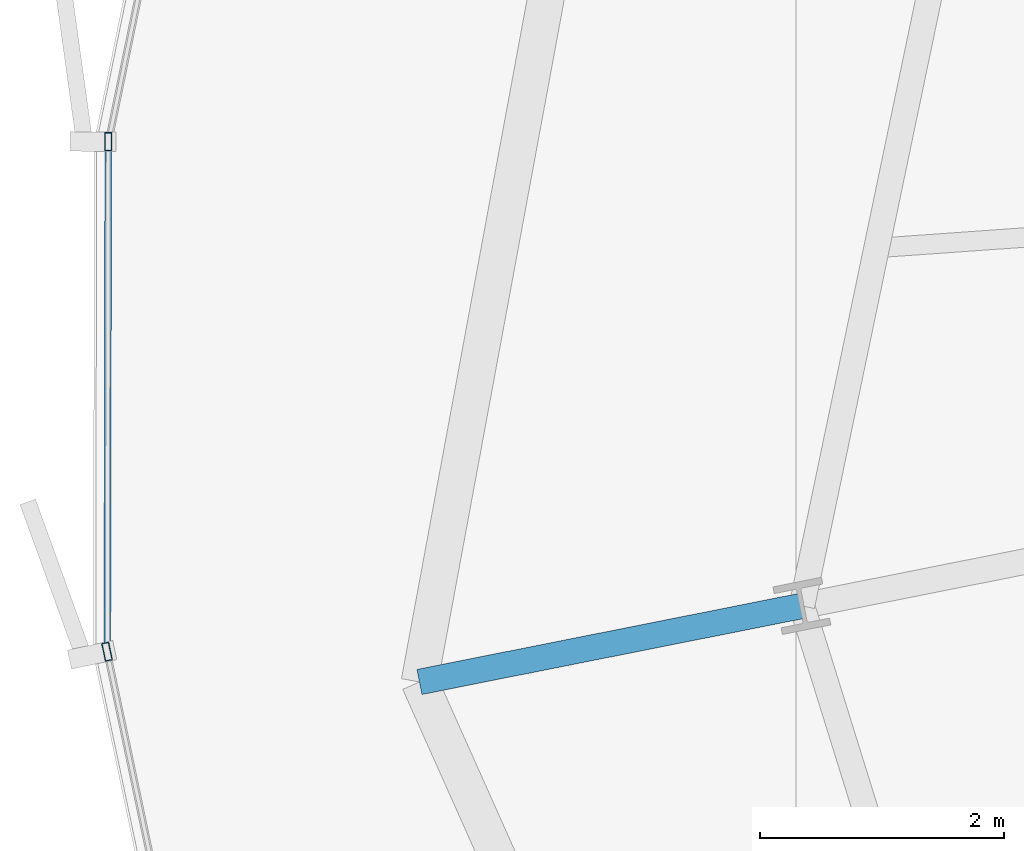
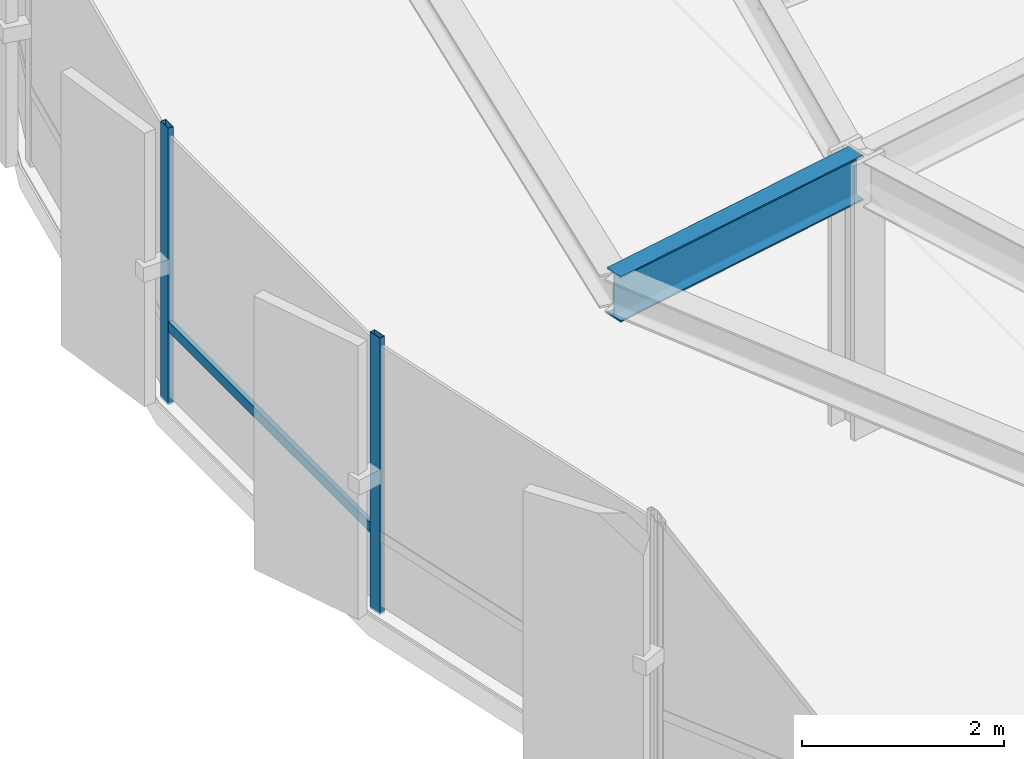
# One storey, part 8 of 35: 3 members, 1 beam, 1 element without a shape of its own.
"""IFC4 building model written with IfcOpenShell, lengths in metres."""

import ifcopenshell
import ifcopenshell.guid

model = None  # the IFC model being written
_history = None  # IfcOwnerHistory: only IFC2X3 demands one
_inside = {}  # id of a spatial element -> (the spatial element, [elements in it])
_under = {}  # id of a project, library or spatial element -> (it, [spatial elements below it])
_declared = {}  # id of a project -> (the project, [libraries it declares])
_typed = {}  # id of a type object -> (the type object, [elements of that type])
_made_of = {}  # id of a material, layer set ... -> (it, [elements and type objects made of it])


def new_model(schema):
    """Start an empty IFC model of exactly this schema.

    Asked for "IFC4X3", IfcOpenShell would pick the latest addendum, in which some entities
    have other attributes; the version numbers below select the first issue.
    IFC2X3 requires an IfcOwnerHistory on every rooted entity: one is made here for all.
    """
    global model, _history
    if schema == "IFC4X3":
        model = ifcopenshell.file(schema_version=(4, 3, 0, 0))
    else:
        model = ifcopenshell.file(schema=schema)
    _inside.clear()
    _under.clear()
    _declared.clear()
    _typed.clear()
    _made_of.clear()
    _history = None
    if model.schema == "IFC2X3":
        org = make("IfcOrganization", Name="unknown")
        user = make(
            "IfcPersonAndOrganization",
            ThePerson=make("IfcPerson", FamilyName="unknown"),
            TheOrganization=org,
        )
        app = make(
            "IfcApplication",
            ApplicationDeveloper=org,
            Version="unknown",
            ApplicationFullName="unknown",
            ApplicationIdentifier="unknown",
        )
        _history = make(
            "IfcOwnerHistory",
            OwningUser=user,
            OwningApplication=app,
            ChangeAction="ADDED",
            CreationDate=0,
        )
    return model


def make(cls, **values):
    """One entity of the class cls with the attributes given. An attribute that is None is left unset."""
    return model.create_entity(
        cls, **{name: value for name, value in values.items() if value is not None}
    )


def rooted(cls, **values):
    """An entity with a GlobalId (a new one), such as an element, a storey or a relation."""
    return make(cls, GlobalId=ifcopenshell.guid.new(), OwnerHistory=_history, **values)


def si_unit(unit_type, name, prefix=None):
    """IfcSIUnit, for example si_unit("LENGTHUNIT", "METRE", prefix="MILLI")."""
    return make("IfcSIUnit", UnitType=unit_type, Prefix=prefix, Name=name)


def assignment(units):
    """IfcUnitAssignment: the units of a project."""
    return None if units is None else make("IfcUnitAssignment", Units=units)


def point(xyz):
    """IfcCartesianPoint."""
    return None if xyz is None else make("IfcCartesianPoint", Coordinates=xyz)


def direction(xyz):
    """IfcDirection."""
    return None if xyz is None else make("IfcDirection", DirectionRatios=xyz)


def frame(location, z_axis=None, x_axis=None):
    """IfcAxis2Placement3D, a coordinate frame: its origin and axes. An axis left out is left unset."""
    return make(
        "IfcAxis2Placement3D",
        Location=point(location),
        Axis=direction(z_axis),
        RefDirection=direction(x_axis),
    )


def frame_2d(location, x_axis=None):
    """IfcAxis2Placement2D, a coordinate frame in the plane: its origin and x axis."""
    return make(
        "IfcAxis2Placement2D", Location=point(location), RefDirection=direction(x_axis)
    )


def origin():
    """The frame at (0, 0, 0) with its axes left unset."""
    return frame((0.0, 0.0, 0.0))


def origin_2d():
    """The frame at (0, 0) in the plane with its x axis left unset."""
    return frame_2d((0.0, 0.0))


def place(relative_to, where):
    """IfcLocalPlacement: puts the frame where relative to a parent placement (None: the world)."""
    return make(
        "IfcLocalPlacement", PlacementRelTo=relative_to, RelativePlacement=where
    )


def context(
    kind, dimensions, precision=None, world=None, true_north=None, identifier=None
):
    """IfcGeometricRepresentationContext, for example the 3D "Model" context."""
    return make(
        "IfcGeometricRepresentationContext",
        ContextIdentifier=identifier,
        ContextType=kind,
        CoordinateSpaceDimension=dimensions,
        Precision=precision,
        WorldCoordinateSystem=world,
        TrueNorth=true_north,
    )


def subcontext(parent, identifier, kind, view, scale=None):
    """IfcGeometricRepresentationSubContext, for example "Body" below "Model"."""
    return make(
        "IfcGeometricRepresentationSubContext",
        ContextIdentifier=identifier,
        ContextType=kind,
        ParentContext=parent,
        TargetScale=scale,
        TargetView=view,
    )


def project(units=None, contexts=None):
    """IfcProject with its units and contexts."""
    return rooted(
        "IfcProject",
        Name="project",
        RepresentationContexts=contexts,
        UnitsInContext=assignment(units),
    )


def spatial(cls, under=None, at=None, **own):
    """A site, building, storey or space (cls), placed at a placement, below another one or the project."""
    s = rooted(cls, ObjectPlacement=at, **own)
    if under is not None:
        _under.setdefault(under.id(), (under, []))[1].append(s)
    return s


def profile(cls, at=None, kind="AREA", **sizes):
    """A parametric profile (cls). Its sizes go by their IFC names, for example OverallWidth=200.0."""
    return make(cls, ProfileType=kind, Position=at, **sizes)


def hollow_rectangle(**sizes):
    """IfcRectangleHollowProfileDef."""
    return profile("IfcRectangleHollowProfileDef", **sizes)


def i_section(**sizes):
    """IfcIShapeProfileDef."""
    return profile("IfcIShapeProfileDef", **sizes)


def extrude(swept, where, along, depth):
    """IfcExtrudedAreaSolid: the profile swept, set in the frame where, extruded along a direction by depth."""
    return make(
        "IfcExtrudedAreaSolid",
        SweptArea=swept,
        Position=where,
        ExtrudedDirection=direction(along),
        Depth=depth,
    )


def shape(context_of_items, identifier, shape_type, items):
    """IfcShapeRepresentation: the items that make up one representation, for example the "Body"."""
    return make(
        "IfcShapeRepresentation",
        ContextOfItems=context_of_items,
        RepresentationIdentifier=identifier,
        RepresentationType=shape_type,
        Items=items,
    )


def source(mapping_origin, context_of_items, identifier, shape_type, items):
    """IfcRepresentationMap: a shape defined once, which mapped items show again and again."""
    return make(
        "IfcRepresentationMap",
        MappingOrigin=mapping_origin,
        MappedRepresentation=shape(context_of_items, identifier, shape_type, items),
    )


def transform(
    local_origin,
    x_axis=None,
    y_axis=None,
    z_axis=None,
    scale=None,
    scale2=None,
    scale3=None,
    uniform=True,
):
    """IfcCartesianTransformationOperator3D, or its non-uniform kind. x_axis, y_axis, z_axis: its Axis1, 2, 3."""
    if uniform:
        return make(
            "IfcCartesianTransformationOperator3D",
            Axis1=direction(x_axis),
            Axis2=direction(y_axis),
            LocalOrigin=point(local_origin),
            Scale=scale,
            Axis3=direction(z_axis),
        )
    return make(
        "IfcCartesianTransformationOperator3DnonUniform",
        Axis1=direction(x_axis),
        Axis2=direction(y_axis),
        LocalOrigin=point(local_origin),
        Scale=scale,
        Axis3=direction(z_axis),
        Scale2=scale2,
        Scale3=scale3,
    )


def mapped(mapping_source, mapping_target):
    """IfcMappedItem: shows the shape of a source again, moved by a transform."""
    return make(
        "IfcMappedItem", MappingSource=mapping_source, MappingTarget=mapping_target
    )


def material(Name=None, Category=None):
    """IfcMaterial."""
    return make("IfcMaterial", Name=Name, Category=Category)


def layer(
    of_material, thickness, ventilated=None, Name=None, Category=None, Priority=None
):
    """IfcMaterialLayer: one layer of a wall or slab, of a material (None: an air gap)."""
    return make(
        "IfcMaterialLayer",
        Material=of_material,
        LayerThickness=thickness,
        IsVentilated=ventilated,
        Name=Name,
        Category=Category,
        Priority=Priority,
    )


def layer_set(layers, Name=None):
    """IfcMaterialLayerSet."""
    return make("IfcMaterialLayerSet", MaterialLayers=layers, LayerSetName=Name)


def material_profile(
    of_material, cross_section, Name=None, Category=None, Priority=None
):
    """IfcMaterialProfile: a cross section and its material."""
    return make(
        "IfcMaterialProfile",
        Name=Name,
        Material=of_material,
        Profile=cross_section,
        Priority=Priority,
        Category=Category,
    )


def profile_set(profiles, Name=None, composite=None):
    """IfcMaterialProfileSet."""
    return make(
        "IfcMaterialProfileSet",
        Name=Name,
        MaterialProfiles=profiles,
        CompositeProfile=composite,
    )


def made_of(thing, what):
    """Note that an element or type object is made of a material, layer set ...; save() writes the relation."""
    if what is not None:
        _made_of.setdefault(what.id(), (what, []))[1].append(thing)
    return thing


def type_object(cls, material=None, **own):
    """A type object (cls), such as IfcWallType, which elements share."""
    return made_of(rooted(cls, **own), material)


def element(
    cls,
    number,
    at=None,
    inside=None,
    cuts=None,
    type_object=None,
    material=None,
    context=None,
    identifier="Body",
    shape_type=None,
    held_by="IfcProductDefinitionShape",
    body=None,
    shapes=None,
    **own,
):
    """One element of the class cls, such as IfcWall. Its Tag is "e" and its number.

    at: its placement. inside: the storey or other place that contains it. cuts: it is an
    opening in that element (IfcRelVoidsElement). A single representation is given by context,
    identifier, shape_type and body (its items); several are given by shapes. held_by: the class
    of the entity that holds the representations. save() writes the other relations.
    """
    e = rooted(cls, Tag="e%d" % number, ObjectPlacement=at, **own)
    if body is not None:
        shapes = [shape(context, identifier, shape_type, body)]
    if shapes is not None:
        e.Representation = make(held_by, Representations=shapes)
    if inside is not None:
        _inside.setdefault(inside.id(), (inside, []))[1].append(e)
    if cuts is not None:
        rooted(
            "IfcRelVoidsElement", RelatingBuildingElement=cuts, RelatedOpeningElement=e
        )
    if type_object is not None:
        _typed.setdefault(type_object.id(), (type_object, []))[1].append(e)
    return made_of(e, material)


def aggregate(whole, parts):
    """IfcRelAggregates: a whole, such as a stair, and the parts it consists of."""
    return rooted("IfcRelAggregates", RelatingObject=whole, RelatedObjects=parts)


def save(model, path):
    """Write the relations noted so far, then the file.

    IfcRelAggregates (storeys below a building ...), IfcRelContainedInSpatialStructure (elements
    in a storey), IfcRelDefinesByType, IfcRelAssociatesMaterial and IfcRelDeclares: one each for
    every whole, place, type object, material and project.
    """
    for whole, parts in _under.values():
        aggregate(whole, parts)
    for where, things in _inside.values():
        rooted(
            "IfcRelContainedInSpatialStructure",
            RelatedElements=things,
            RelatingStructure=where,
        )
    for kind, things in _typed.values():
        rooted("IfcRelDefinesByType", RelatedObjects=things, RelatingType=kind)
    for what, things in _made_of.values():
        rooted("IfcRelAssociatesMaterial", RelatedObjects=things, RelatingMaterial=what)
    for by, libraries in _declared.values():
        rooted("IfcRelDeclares", RelatingContext=by, RelatedDefinitions=libraries)
    model.write(path)


model = new_model("IFC4")

# Units and contexts
model_context = context("Model", 3, precision=1e-05, world=origin(), true_north=direction((0.0, 1.0)))
body_context = subcontext(model_context, "Body", "Model", "MODEL_VIEW")
ifc_project = project(units=[si_unit("LENGTHUNIT", "METRE"), si_unit("AREAUNIT", "SQUARE_METRE"), si_unit("VOLUMEUNIT", "CUBIC_METRE"), si_unit("PLANEANGLEUNIT", "RADIAN"), si_unit("MASSUNIT", "GRAM", prefix="KILO"), si_unit("THERMODYNAMICTEMPERATUREUNIT", "KELVIN")], contexts=[model_context])

# Site, building, storey
site_placement = place(None, origin())
site = spatial("IfcSite", under=ifc_project, at=site_placement, CompositionType="ELEMENT")
building_placement = place(site_placement, origin())
building = spatial("IfcBuilding", under=site, at=building_placement, Name="Kethvar Cultural Tower", CompositionType="ELEMENT")
storey_placement = place(building_placement, frame((0.0, 0.0, 107.199951171875)))
storey = spatial("IfcBuildingStorey", under=building, at=storey_placement, Name="L26", CompositionType="ELEMENT", Elevation=107.199951171875)

# Beam
ifc_material_1 = material(Name="Steel S355J2", Category="steel")
ifc_material_profile_1 = material_profile(ifc_material_1, i_section(OverallWidth=0.2099609375, OverallDepth=0.550048828125, WebThickness=0.010986328125, FlangeThickness=0.01708984375, FilletRadius=0.02392578125, at=origin_2d()), Name="Steel S355J2 — IPE550")
ifc_profile_set_1 = profile_set([ifc_material_profile_1], Name="Steel S355J2 — IPE550")
beam_type = type_object("IfcBeamType", Name="BM-IPE550", PredefinedType="BEAM", material=ifc_profile_set_1)
shared_shape_1 = source(origin(), body_context, "Body", "SweptSolid", [
    extrude(i_section(OverallWidth=0.2099609375, OverallDepth=0.550048828125, WebThickness=0.010986328125, FlangeThickness=0.01708984375, FilletRadius=0.02392578125, at=origin_2d()), origin(), (0.0, 0.0, 1.0), 3.199951171875),
])
beam_placement = place(storey_placement, frame((24.185302734375, 23.3017578125, 3.072998046875), z_axis=(-0.980785550224, -0.195088965533, 0.0), x_axis=(0.195088965533, -0.980785550224, 0.0)))
element("IfcBeam", 1, at=beam_placement, inside=storey, type_object=beam_type, Name="L26 Perimeter Cantilever Beam RC-09", PredefinedType="BEAM", context=body_context, shape_type="MappedRepresentation", body=[
    mapped(shared_shape_1, transform((0.0, 0.0, 0.0), scale=1.0)),
])

# Curtain wall, members
ifc_material_2 = material(Name="Aluminium 6063-T6", Category="aluminium")
ifc_layer = layer(ifc_material_2, 0.179931640625, Name="Aluminium 6063-T6", Category="aluminium")
ifc_layer_set = layer_set([ifc_layer], Name="Aluminium 6063-T6 (180 mm)")
curtain_wall_type = type_object("IfcCurtainWallType", Name="CW-SYS-03-Z2", PredefinedType="NOTDEFINED", material=ifc_layer_set)
curtain_wall_placement = place(storey_placement, origin())
curtain_wall = element("IfcCurtainWall", 2, at=curtain_wall_placement, inside=storey, type_object=curtain_wall_type, Name="L26 Curtain Wall Run 03", PredefinedType="NOTDEFINED")
ifc_material_profile_2 = material_profile(ifc_material_2, hollow_rectangle(XDim=0.06005859375, YDim=0.14990234375, WallThickness=0.0048828125, at=origin_2d()), Name="Aluminium 6063-T6 — RHS150x60x5")
ifc_profile_set_2 = profile_set([ifc_material_profile_2], Name="Aluminium 6063-T6 — RHS150x60x5")
member_type_1 = type_object("IfcMemberType", Name="CW-SYS-03-Z2-MUL", PredefinedType="MULLION", material=ifc_profile_set_2)
shared_shape_2 = source(origin(), body_context, "Body", "SweptSolid", [
    extrude(hollow_rectangle(XDim=0.06005859375, YDim=0.14990234375, WallThickness=0.0048828125, at=origin_2d()), origin(), (0.0, 0.0, 1.0), 3.35009765625),
])
member_1_placement = place(storey_placement, frame((18.492919921875, 27.112060546875, 0.0), z_axis=(0.0, 0.0, 1.0), x_axis=(0.999998446299, -0.001762781632, 0.0)))
member_1 = element("IfcMember", 3, at=member_1_placement, type_object=member_type_1, Name="CW-L26-R03 Mullion 5", PredefinedType="MULLION", context=body_context, shape_type="MappedRepresentation", body=[
    mapped(shared_shape_2, transform((0.0, 0.0, 0.0), scale=1.0)),
])
member_2_placement = place(storey_placement, frame((18.48291015625, 22.92578125, 0.0), z_axis=(0.0, 0.0, 1.0), x_axis=(0.978480184028, 0.206340809015, 0.0)))
member_2 = element("IfcMember", 4, at=member_2_placement, type_object=member_type_1, Name="CW-L26-R03 Mullion 6", PredefinedType="MULLION", context=body_context, shape_type="MappedRepresentation", body=[
    mapped(shared_shape_2, transform((0.0, 0.0, 0.0), scale=1.0)),
])
ifc_material_profile_3 = material_profile(ifc_material_2, hollow_rectangle(XDim=0.054931640625, YDim=0.1201171875, WallThickness=0.00390625, at=origin_2d()), Name="Aluminium 6063-T6 — RHS120x55x4")
ifc_profile_set_3 = profile_set([ifc_material_profile_3], Name="Aluminium 6063-T6 — RHS120x55x4")
member_type_2 = type_object("IfcMemberType", Name="CW-SYS-03-Z2-TRN", PredefinedType="USERDEFINED", material=ifc_profile_set_3)
shared_shape_3 = source(origin(), body_context, "Body", "SweptSolid", [
    extrude(hollow_rectangle(XDim=0.054931640625, YDim=0.1201171875, WallThickness=0.00390625, at=origin_2d()), origin(), (0.0, 0.0, 1.0), 4.12353515625),
])
member_3_placement = place(storey_placement, frame((18.492919921875, 27.06884765625, 0.949951171875), z_axis=(-0.001776196132, -0.999998422562, 0.0), x_axis=(0.999998422562, -0.001776196132, 0.0)))
member_3 = element("IfcMember", 5, at=member_3_placement, type_object=member_type_2, Name="CW-L26-R03 Transom 5", ObjectType="TRANSOM", PredefinedType="USERDEFINED", context=body_context, shape_type="MappedRepresentation", body=[
    mapped(shared_shape_3, transform((0.0, 0.0, 0.0), scale=1.0)),
])
aggregate(curtain_wall, [member_1, member_2, member_3])

save(model, "model.ifc")
